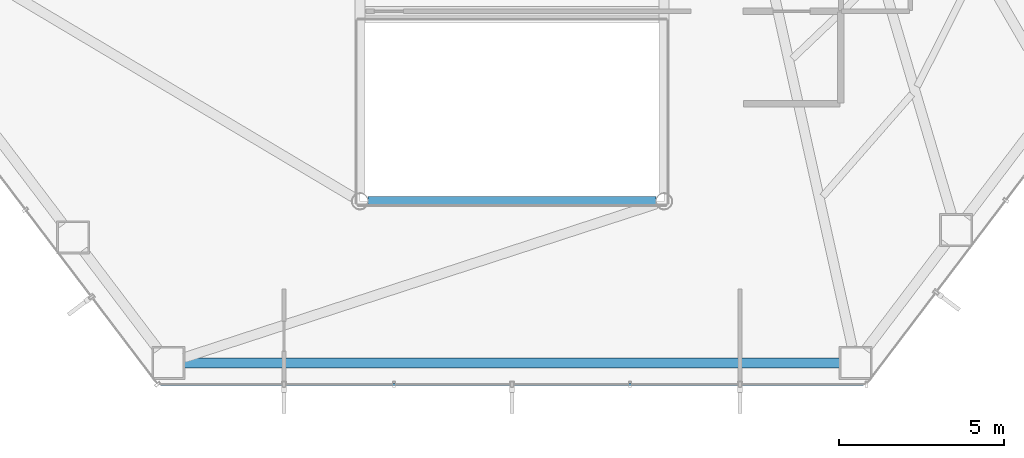
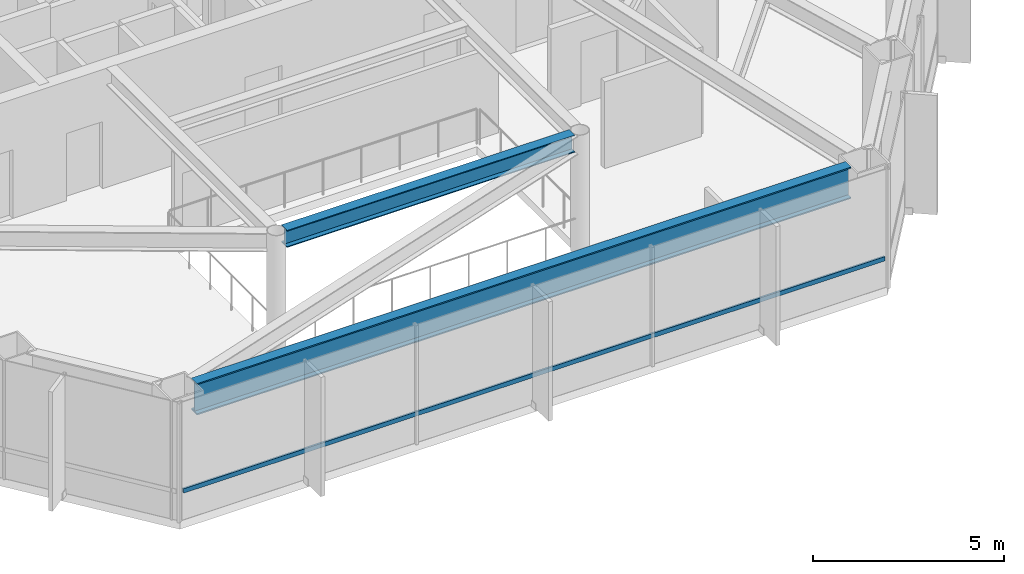
# One storey, part 7 of 25: 2 beams, 1 member, 1 element without a shape of its own.
"""IFC4 building model written with IfcOpenShell, lengths in metres."""

from ifc_helpers import new_model, si_unit, direction, frame, origin, origin_2d, place, context, subcontext, project, spatial, hollow_rectangle, i_section, extrude, material, layer, layer_set, material_profile, profile_set, type_object, element, aggregate, save


model = new_model("IFC4")

# Units and contexts
model_context = context("Model", 3, precision=1e-05, world=origin(), true_north=direction((0.0, 1.0)))
body_context = subcontext(model_context, "Body", "Model", "MODEL_VIEW")
ifc_project = project(units=[si_unit("LENGTHUNIT", "METRE"), si_unit("AREAUNIT", "SQUARE_METRE"), si_unit("VOLUMEUNIT", "CUBIC_METRE"), si_unit("PLANEANGLEUNIT", "RADIAN"), si_unit("MASSUNIT", "GRAM", prefix="KILO")], contexts=[model_context])

# Site, building, storey
site_placement = place(None, origin())
site = spatial("IfcSite", under=ifc_project, at=site_placement, CompositionType="ELEMENT")
building_placement = place(site_placement, origin())
building = spatial("IfcBuilding", under=site, at=building_placement, Name="Zarrinselat Tower", CompositionType="ELEMENT")
storey_placement = place(building_placement, frame((0.0, 0.0, 56.10009765625)))
storey = spatial("IfcBuildingStorey", under=building, at=storey_placement, Name="L13", CompositionType="ELEMENT", Elevation=56.10009765625)

# Beams
ifc_material_1 = material(Name="Steel S355J2", Category="steel")
ifc_material_profile_1 = material_profile(ifc_material_1, i_section(OverallWidth=0.300048828125, OverallDepth=0.550048828125, WebThickness=0.014892578125, FlangeThickness=0.029052734375, at=origin_2d()), Name="HEB 550")
ifc_profile_set_1 = profile_set([ifc_material_profile_1], Name="Steel S355J2")
beam_type_1 = type_object("IfcBeamType", Name="BM-HEB550", PredefinedType="BEAM", material=ifc_profile_set_1)
beam_1_placement = place(storey_placement, frame((34.0400390625, 24.39990234375, 3.544921875), z_axis=(1.0, 0.0, 0.0), x_axis=(0.0, 1.0, 0.0)))
element("IfcBeam", 1, at=beam_1_placement, inside=storey, type_object=beam_type_1, Name="L13 Atrium Edge Beam S", PredefinedType="BEAM", context=body_context, shape_type="SweptSolid", body=[
    extrude(i_section(OverallWidth=0.300048828125, OverallDepth=0.550048828125, WebThickness=0.014892578125, FlangeThickness=0.029052734375, at=origin_2d()), origin(), (0.0, 0.0, 1.0), 8.719970703125),
])
ifc_material_2 = material(Name="Steel S460M", Category="steel")
ifc_material_profile_2 = material_profile(ifc_material_2, i_section(OverallWidth=0.302001953125, OverallDepth=1.008056640625, WebThickness=0.02099609375, FlangeThickness=0.0400390625, at=origin_2d()), Name="HEM 1000")
ifc_profile_set_2 = profile_set([ifc_material_profile_2], Name="Steel S460M")
beam_type_2 = type_object("IfcBeamType", Name="BM-HEM1000", PredefinedType="BEAM", material=ifc_profile_set_2)
beam_2_placement = place(storey_placement, frame((28.48828125, 19.51171875, 3.31591796875), z_axis=(1.0, 0.0, 0.0), x_axis=(0.0, 1.0, 0.0)))
element("IfcBeam", 2, at=beam_2_placement, inside=storey, type_object=beam_type_2, Name="L13 Perimeter Spandrel Girder SP10", PredefinedType="BEAM", context=body_context, shape_type="SweptSolid", body=[
    extrude(i_section(OverallWidth=0.302001953125, OverallDepth=1.008056640625, WebThickness=0.02099609375, FlangeThickness=0.0400390625, at=origin_2d()), origin(), (0.0, 0.0, 1.0), 19.8232421875),
])

# Curtain wall, member
ifc_material_3 = material(Name="Extruded Aluminium Alloy EN AW-6063 T6", Category="aluminium")
ifc_layer = layer(ifc_material_3, 0.18505859375)
ifc_layer_set = layer_set([ifc_layer], Name="Extruded Aluminium Alloy EN AW-6063 T6")
curtain_wall_type = type_object("IfcCurtainWallType", Name="CWS-OFF", PredefinedType="NOTDEFINED", material=ifc_layer_set)
curtain_wall_placement = place(storey_placement, origin())
curtain_wall = element("IfcCurtainWall", 3, at=curtain_wall_placement, inside=storey, type_object=curtain_wall_type, Name="L13 Unitised Curtain Wall CW-L13-E04", PredefinedType="NOTDEFINED")
ifc_material_4 = material(Name="Extruded Aluminium Alloy EN AW-6063 T6", Category="aluminium")
ifc_material_profile_3 = material_profile(ifc_material_4, hollow_rectangle(XDim=0.06005859375, YDim=0.139892578125, WallThickness=0.00390625, at=origin_2d()), Name="RHS 140x60x4")
ifc_profile_set_3 = profile_set([ifc_material_profile_3], Name="Extruded Aluminium Alloy EN AW-6063 T6")
member_type = type_object("IfcMemberType", Name="MEM-CW-TRN", PredefinedType="USERDEFINED", material=ifc_profile_set_3)
member_placement = place(storey_placement, frame((27.767333984375, 18.86181640625, 0.949951171875), z_axis=(1.0, 0.0, 0.0), x_axis=(0.0, 1.0, 0.0)))
member = element("IfcMember", 4, at=member_placement, type_object=member_type, Name="CW-L13-E04 Transom 1", ObjectType="TRANSOM", PredefinedType="USERDEFINED", context=body_context, shape_type="SweptSolid", body=[
    extrude(hollow_rectangle(XDim=0.06005859375, YDim=0.139892578125, WallThickness=0.00390625, at=origin_2d()), origin(), (0.0, 0.0, 1.0), 21.265380859375),
])
aggregate(curtain_wall, [member])

save(model, "model.ifc")
